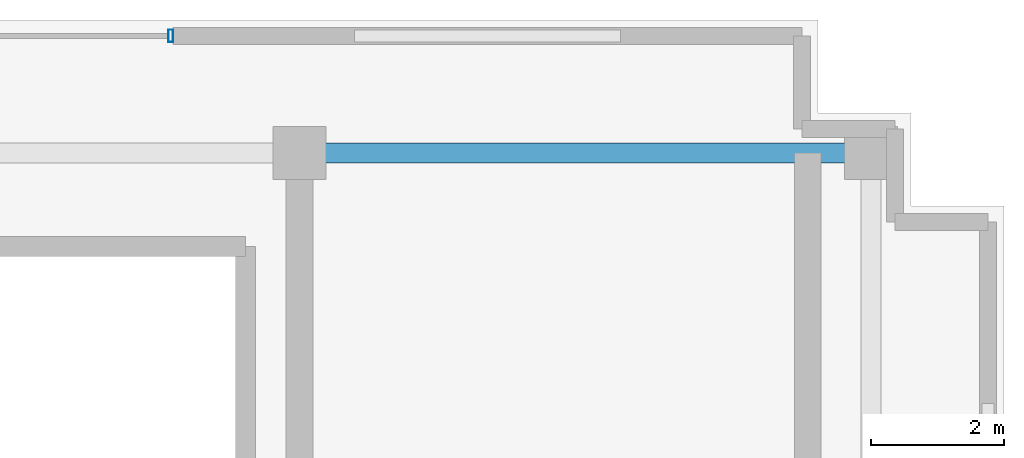
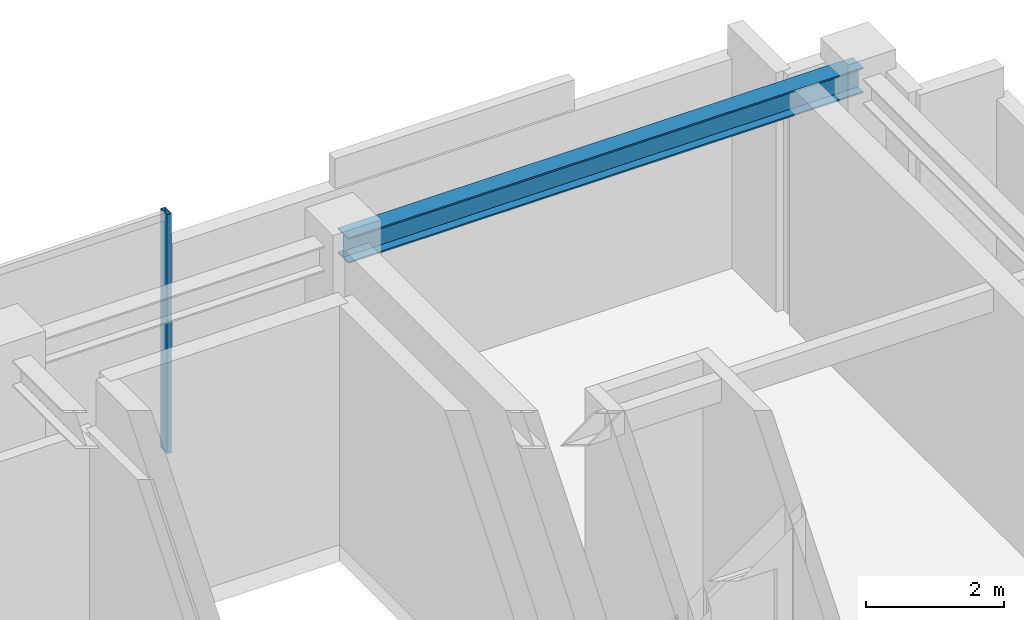
# One storey, part 15 of 21: 1 beam, 1 member, 1 element without a shape of its own.
"""IFC4 building model written with IfcOpenShell, lengths in metres."""

import ifcopenshell
import ifcopenshell.guid

model = None  # the IFC model being written
_history = None  # IfcOwnerHistory: only IFC2X3 demands one
_inside = {}  # id of a spatial element -> (the spatial element, [elements in it])
_under = {}  # id of a project, library or spatial element -> (it, [spatial elements below it])
_declared = {}  # id of a project -> (the project, [libraries it declares])
_typed = {}  # id of a type object -> (the type object, [elements of that type])
_made_of = {}  # id of a material, layer set ... -> (it, [elements and type objects made of it])


def new_model(schema):
    """Start an empty IFC model of exactly this schema.

    Asked for "IFC4X3", IfcOpenShell would pick the latest addendum, in which some entities
    have other attributes; the version numbers below select the first issue.
    IFC2X3 requires an IfcOwnerHistory on every rooted entity: one is made here for all.
    """
    global model, _history
    if schema == "IFC4X3":
        model = ifcopenshell.file(schema_version=(4, 3, 0, 0))
    else:
        model = ifcopenshell.file(schema=schema)
    _inside.clear()
    _under.clear()
    _declared.clear()
    _typed.clear()
    _made_of.clear()
    _history = None
    if model.schema == "IFC2X3":
        org = make("IfcOrganization", Name="unknown")
        user = make(
            "IfcPersonAndOrganization",
            ThePerson=make("IfcPerson", FamilyName="unknown"),
            TheOrganization=org,
        )
        app = make(
            "IfcApplication",
            ApplicationDeveloper=org,
            Version="unknown",
            ApplicationFullName="unknown",
            ApplicationIdentifier="unknown",
        )
        _history = make(
            "IfcOwnerHistory",
            OwningUser=user,
            OwningApplication=app,
            ChangeAction="ADDED",
            CreationDate=0,
        )
    return model


def make(cls, **values):
    """One entity of the class cls with the attributes given. An attribute that is None is left unset."""
    return model.create_entity(
        cls, **{name: value for name, value in values.items() if value is not None}
    )


def rooted(cls, **values):
    """An entity with a GlobalId (a new one), such as an element, a storey or a relation."""
    return make(cls, GlobalId=ifcopenshell.guid.new(), OwnerHistory=_history, **values)


def si_unit(unit_type, name, prefix=None):
    """IfcSIUnit, for example si_unit("LENGTHUNIT", "METRE", prefix="MILLI")."""
    return make("IfcSIUnit", UnitType=unit_type, Prefix=prefix, Name=name)


def assignment(units):
    """IfcUnitAssignment: the units of a project."""
    return None if units is None else make("IfcUnitAssignment", Units=units)


def point(xyz):
    """IfcCartesianPoint."""
    return None if xyz is None else make("IfcCartesianPoint", Coordinates=xyz)


def direction(xyz):
    """IfcDirection."""
    return None if xyz is None else make("IfcDirection", DirectionRatios=xyz)


def frame(location, z_axis=None, x_axis=None):
    """IfcAxis2Placement3D, a coordinate frame: its origin and axes. An axis left out is left unset."""
    return make(
        "IfcAxis2Placement3D",
        Location=point(location),
        Axis=direction(z_axis),
        RefDirection=direction(x_axis),
    )


def frame_2d(location, x_axis=None):
    """IfcAxis2Placement2D, a coordinate frame in the plane: its origin and x axis."""
    return make(
        "IfcAxis2Placement2D", Location=point(location), RefDirection=direction(x_axis)
    )


def origin():
    """The frame at (0, 0, 0) with its axes left unset."""
    return frame((0.0, 0.0, 0.0))


def origin_2d():
    """The frame at (0, 0) in the plane with its x axis left unset."""
    return frame_2d((0.0, 0.0))


def place(relative_to, where):
    """IfcLocalPlacement: puts the frame where relative to a parent placement (None: the world)."""
    return make(
        "IfcLocalPlacement", PlacementRelTo=relative_to, RelativePlacement=where
    )


def context(
    kind, dimensions, precision=None, world=None, true_north=None, identifier=None
):
    """IfcGeometricRepresentationContext, for example the 3D "Model" context."""
    return make(
        "IfcGeometricRepresentationContext",
        ContextIdentifier=identifier,
        ContextType=kind,
        CoordinateSpaceDimension=dimensions,
        Precision=precision,
        WorldCoordinateSystem=world,
        TrueNorth=true_north,
    )


def subcontext(parent, identifier, kind, view, scale=None):
    """IfcGeometricRepresentationSubContext, for example "Body" below "Model"."""
    return make(
        "IfcGeometricRepresentationSubContext",
        ContextIdentifier=identifier,
        ContextType=kind,
        ParentContext=parent,
        TargetScale=scale,
        TargetView=view,
    )


def project(units=None, contexts=None):
    """IfcProject with its units and contexts."""
    return rooted(
        "IfcProject",
        Name="project",
        RepresentationContexts=contexts,
        UnitsInContext=assignment(units),
    )


def spatial(cls, under=None, at=None, **own):
    """A site, building, storey or space (cls), placed at a placement, below another one or the project."""
    s = rooted(cls, ObjectPlacement=at, **own)
    if under is not None:
        _under.setdefault(under.id(), (under, []))[1].append(s)
    return s


def profile(cls, at=None, kind="AREA", **sizes):
    """A parametric profile (cls). Its sizes go by their IFC names, for example OverallWidth=200.0."""
    return make(cls, ProfileType=kind, Position=at, **sizes)


def hollow_rectangle(**sizes):
    """IfcRectangleHollowProfileDef."""
    return profile("IfcRectangleHollowProfileDef", **sizes)


def i_section(**sizes):
    """IfcIShapeProfileDef."""
    return profile("IfcIShapeProfileDef", **sizes)


def extrude(swept, where, along, depth):
    """IfcExtrudedAreaSolid: the profile swept, set in the frame where, extruded along a direction by depth."""
    return make(
        "IfcExtrudedAreaSolid",
        SweptArea=swept,
        Position=where,
        ExtrudedDirection=direction(along),
        Depth=depth,
    )


def shape(context_of_items, identifier, shape_type, items):
    """IfcShapeRepresentation: the items that make up one representation, for example the "Body"."""
    return make(
        "IfcShapeRepresentation",
        ContextOfItems=context_of_items,
        RepresentationIdentifier=identifier,
        RepresentationType=shape_type,
        Items=items,
    )


def source(mapping_origin, context_of_items, identifier, shape_type, items):
    """IfcRepresentationMap: a shape defined once, which mapped items show again and again."""
    return make(
        "IfcRepresentationMap",
        MappingOrigin=mapping_origin,
        MappedRepresentation=shape(context_of_items, identifier, shape_type, items),
    )


def transform(
    local_origin,
    x_axis=None,
    y_axis=None,
    z_axis=None,
    scale=None,
    scale2=None,
    scale3=None,
    uniform=True,
):
    """IfcCartesianTransformationOperator3D, or its non-uniform kind. x_axis, y_axis, z_axis: its Axis1, 2, 3."""
    if uniform:
        return make(
            "IfcCartesianTransformationOperator3D",
            Axis1=direction(x_axis),
            Axis2=direction(y_axis),
            LocalOrigin=point(local_origin),
            Scale=scale,
            Axis3=direction(z_axis),
        )
    return make(
        "IfcCartesianTransformationOperator3DnonUniform",
        Axis1=direction(x_axis),
        Axis2=direction(y_axis),
        LocalOrigin=point(local_origin),
        Scale=scale,
        Axis3=direction(z_axis),
        Scale2=scale2,
        Scale3=scale3,
    )


def mapped(mapping_source, mapping_target):
    """IfcMappedItem: shows the shape of a source again, moved by a transform."""
    return make(
        "IfcMappedItem", MappingSource=mapping_source, MappingTarget=mapping_target
    )


def material(Name=None, Category=None):
    """IfcMaterial."""
    return make("IfcMaterial", Name=Name, Category=Category)


def material_profile(
    of_material, cross_section, Name=None, Category=None, Priority=None
):
    """IfcMaterialProfile: a cross section and its material."""
    return make(
        "IfcMaterialProfile",
        Name=Name,
        Material=of_material,
        Profile=cross_section,
        Priority=Priority,
        Category=Category,
    )


def profile_set(profiles, Name=None, composite=None):
    """IfcMaterialProfileSet."""
    return make(
        "IfcMaterialProfileSet",
        Name=Name,
        MaterialProfiles=profiles,
        CompositeProfile=composite,
    )


def made_of(thing, what):
    """Note that an element or type object is made of a material, layer set ...; save() writes the relation."""
    if what is not None:
        _made_of.setdefault(what.id(), (what, []))[1].append(thing)
    return thing


def type_object(cls, material=None, **own):
    """A type object (cls), such as IfcWallType, which elements share."""
    return made_of(rooted(cls, **own), material)


def element(
    cls,
    number,
    at=None,
    inside=None,
    cuts=None,
    type_object=None,
    material=None,
    context=None,
    identifier="Body",
    shape_type=None,
    held_by="IfcProductDefinitionShape",
    body=None,
    shapes=None,
    **own,
):
    """One element of the class cls, such as IfcWall. Its Tag is "e" and its number.

    at: its placement. inside: the storey or other place that contains it. cuts: it is an
    opening in that element (IfcRelVoidsElement). A single representation is given by context,
    identifier, shape_type and body (its items); several are given by shapes. held_by: the class
    of the entity that holds the representations. save() writes the other relations.
    """
    e = rooted(cls, Tag="e%d" % number, ObjectPlacement=at, **own)
    if body is not None:
        shapes = [shape(context, identifier, shape_type, body)]
    if shapes is not None:
        e.Representation = make(held_by, Representations=shapes)
    if inside is not None:
        _inside.setdefault(inside.id(), (inside, []))[1].append(e)
    if cuts is not None:
        rooted(
            "IfcRelVoidsElement", RelatingBuildingElement=cuts, RelatedOpeningElement=e
        )
    if type_object is not None:
        _typed.setdefault(type_object.id(), (type_object, []))[1].append(e)
    return made_of(e, material)


def aggregate(whole, parts):
    """IfcRelAggregates: a whole, such as a stair, and the parts it consists of."""
    return rooted("IfcRelAggregates", RelatingObject=whole, RelatedObjects=parts)


def save(model, path):
    """Write the relations noted so far, then the file.

    IfcRelAggregates (storeys below a building ...), IfcRelContainedInSpatialStructure (elements
    in a storey), IfcRelDefinesByType, IfcRelAssociatesMaterial and IfcRelDeclares: one each for
    every whole, place, type object, material and project.
    """
    for whole, parts in _under.values():
        aggregate(whole, parts)
    for where, things in _inside.values():
        rooted(
            "IfcRelContainedInSpatialStructure",
            RelatedElements=things,
            RelatingStructure=where,
        )
    for kind, things in _typed.values():
        rooted("IfcRelDefinesByType", RelatedObjects=things, RelatingType=kind)
    for what, things in _made_of.values():
        rooted("IfcRelAssociatesMaterial", RelatedObjects=things, RelatingMaterial=what)
    for by, libraries in _declared.values():
        rooted("IfcRelDeclares", RelatingContext=by, RelatedDefinitions=libraries)
    model.write(path)


model = new_model("IFC4")

# Units and contexts
model_context = context("Model", 3, precision=1e-05, world=origin(), true_north=direction((0.0, 1.0)))
body_context = subcontext(model_context, "Body", "Model", "MODEL_VIEW")
ifc_project = project(units=[si_unit("LENGTHUNIT", "METRE"), si_unit("AREAUNIT", "SQUARE_METRE"), si_unit("VOLUMEUNIT", "CUBIC_METRE"), si_unit("PLANEANGLEUNIT", "RADIAN"), si_unit("MASSUNIT", "GRAM", prefix="KILO")], contexts=[model_context])

# Site, building, storey
site_placement = place(None, origin())
site = spatial("IfcSite", under=ifc_project, at=site_placement, CompositionType="ELEMENT")
building_placement = place(site_placement, origin())
building = spatial("IfcBuilding", under=site, at=building_placement, Name="Nahalor Promenade Grand Hotel", CompositionType="ELEMENT")
storey_placement = place(building_placement, frame((0.0, 0.0, 370.85009765625)))
storey = spatial("IfcBuildingStorey", under=building, at=storey_placement, Name="L94", CompositionType="ELEMENT", Elevation=370.85009765625)

# Beam
ifc_material_1 = material(Name="Steel S355JR", Category="steel")
ifc_material_profile_1 = material_profile(ifc_material_1, i_section(OverallWidth=0.3, OverallDepth=0.45, WebThickness=0.014, FlangeThickness=0.026, at=origin_2d()), Name="HEB 450")
ifc_profile_set_1 = profile_set([ifc_material_profile_1], Name="Steel S355JR")
beam_type = type_object("IfcBeamType", Name="Beam-Girder-HEB450", PredefinedType="BEAM", material=ifc_profile_set_1)
shared_shape_1 = source(origin(), body_context, "Body", "SweptSolid", [
    extrude(i_section(OverallWidth=0.3, OverallDepth=0.45, WebThickness=0.014, FlangeThickness=0.026, at=origin_2d()), origin(), (0.0, 0.0, 1.0), 8.60009765625),
])
beam_placement = place(storey_placement, frame((8.39990234375, 17.0, 3.994873046875), z_axis=(1.0, 0.0, 0.0), x_axis=(0.0, 1.0, 0.0)))
element("IfcBeam", 1, at=beam_placement, inside=storey, type_object=beam_type, Name="BM-L94-GX-3-4", PredefinedType="BEAM", context=body_context, shape_type="MappedRepresentation", body=[
    mapped(shared_shape_1, transform((0.0, 0.0, 0.0), scale=1.0)),
])

# Curtain wall, member
ifc_material_2 = material(Name="Anodised Bronze Aluminium EN AW-6063 T6", Category="aluminium")
curtain_wall_type = type_object("IfcCurtainWallType", Name="CW6 Crown Botanical Conservatory Curtain Wall", PredefinedType="USERDEFINED", material=ifc_material_2)
curtain_wall_placement = place(storey_placement, origin())
curtain_wall = element("IfcCurtainWall", 2, at=curtain_wall_placement, inside=storey, type_object=curtain_wall_type, Name="L94 Curtain Wall CW-L94-N", ObjectType="UNITISED_CURTAIN_WALL", PredefinedType="USERDEFINED")
ifc_material_profile_2 = material_profile(ifc_material_2, hollow_rectangle(XDim=0.075, YDim=0.19, WallThickness=0.005, at=origin_2d()), Name="CWM 75x190x5")
ifc_profile_set_2 = profile_set([ifc_material_profile_2], Name="Anodised Bronze Aluminium EN AW-6063 T6")
member_type = type_object("IfcMemberType", Name="CWM6 Conservatory Bronze Mullion 75x190", PredefinedType="MULLION", material=ifc_profile_set_2)
shared_shape_2 = source(origin(), body_context, "Body", "SweptSolid", [
    extrude(hollow_rectangle(XDim=0.075, YDim=0.19, WallThickness=0.005, at=origin_2d()), origin(), (0.0, 0.0, 1.0), 4.219970703125),
])
member_placement = place(storey_placement, frame((6.46240234375, 18.760009765625, 0.0), z_axis=(0.0, 0.0, 1.0), x_axis=(1.0, 0.0, 0.0)))
member = element("IfcMember", 3, at=member_placement, type_object=member_type, Name="CW-L94-N Mullion 2", PredefinedType="MULLION", context=body_context, shape_type="MappedRepresentation", body=[
    mapped(shared_shape_2, transform((0.0, 0.0, 0.0), scale=1.0)),
])
aggregate(curtain_wall, [member])

save(model, "model.ifc")
